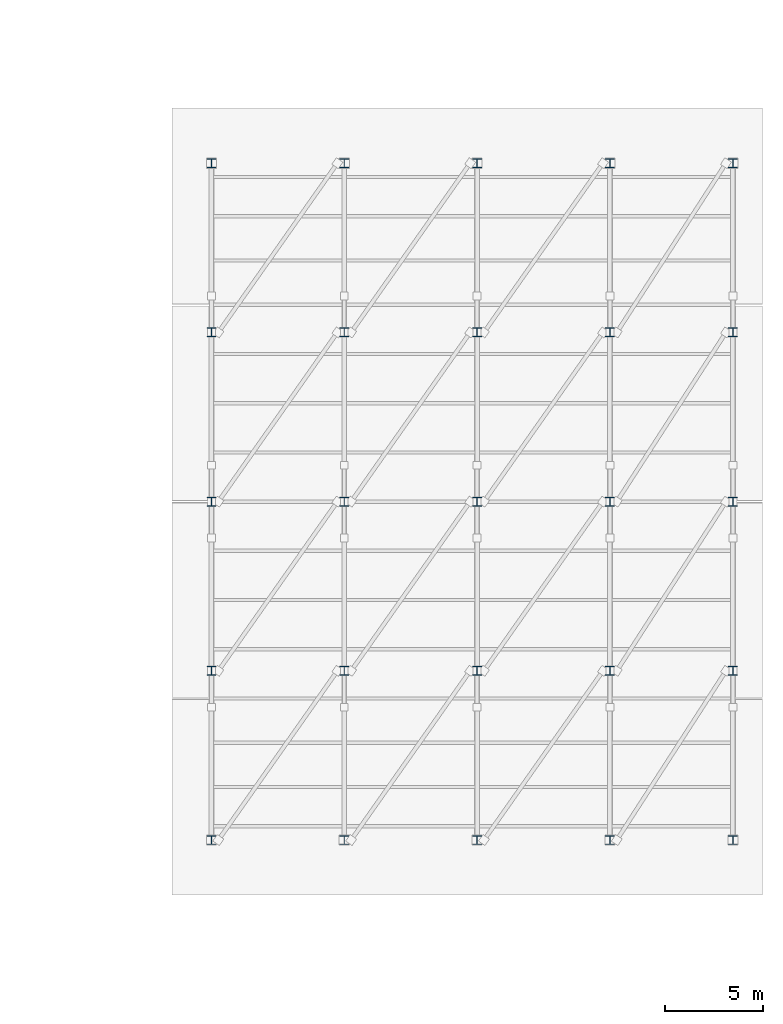
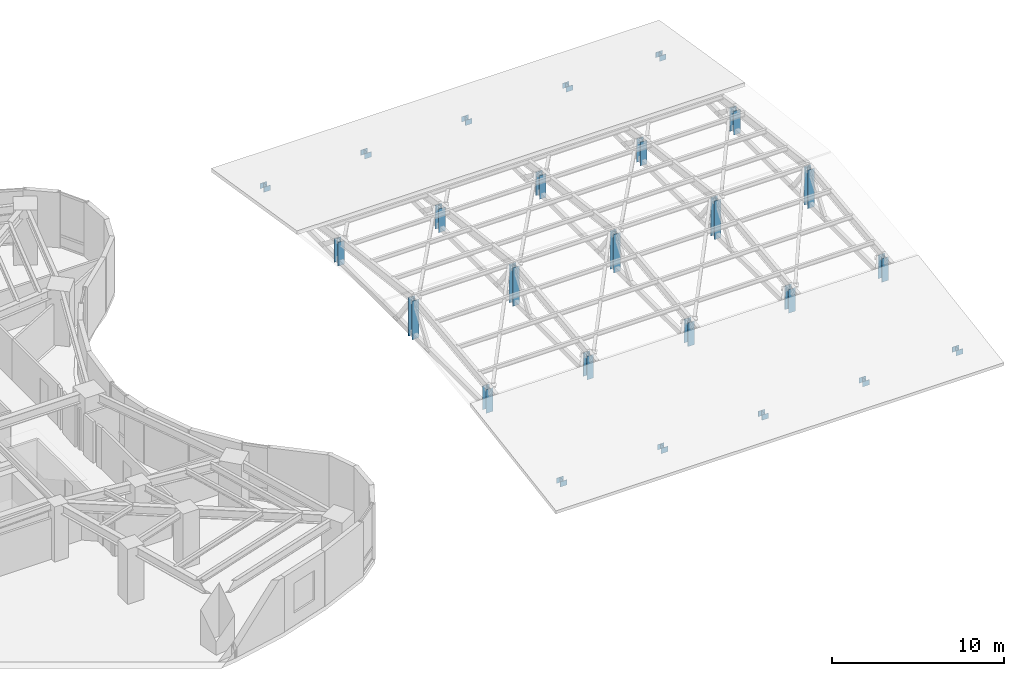
# One storey, part 2 of 17: 25 columns.
"""IFC4 building model written with IfcOpenShell, lengths in metres."""

from ifc_helpers import new_model, si_unit, direction, frame, origin, origin_2d, place, context, subcontext, project, spatial, i_section, extrude, material, material_profile, profile_set, type_object, element, save


model = new_model("IFC4")

# Units and contexts
model_context = context("Model", 3, precision=1e-05, world=origin(), true_north=direction((0.0, 1.0)))
body_context = subcontext(model_context, "Body", "Model", "MODEL_VIEW")
ifc_project = project(units=[si_unit("LENGTHUNIT", "METRE"), si_unit("AREAUNIT", "SQUARE_METRE"), si_unit("VOLUMEUNIT", "CUBIC_METRE"), si_unit("PLANEANGLEUNIT", "RADIAN"), si_unit("MASSUNIT", "GRAM", prefix="KILO")], contexts=[model_context])

# Site, building, storey
site_placement = place(None, origin())
site = spatial("IfcSite", under=ifc_project, at=site_placement, CompositionType="ELEMENT")
building_placement = place(site_placement, origin())
building = spatial("IfcBuilding", under=site, at=building_placement, Name="Korentha Bioscience Tower", CompositionType="ELEMENT")
storey_placement = place(building_placement, frame((0.0, 0.0, 25.800048828125)))
storey = spatial("IfcBuildingStorey", under=building, at=storey_placement, Name="L05", CompositionType="ELEMENT", Elevation=25.800048828125)

# Columns
ifc_material = material(Name="Steel S355", Category="steel")
ifc_material_profile = material_profile(ifc_material, i_section(OverallWidth=0.449951171875, OverallDepth=0.449951171875, WebThickness=0.02001953125, FlangeThickness=0.02490234375, at=origin_2d()), Name="Steel S355")
ifc_profile_set = profile_set([ifc_material_profile], Name="Steel S355 (CF-C1)")
column_type = type_object("IfcColumnType", Name="Crown Frame Post CS 450x226", PredefinedType="COLUMN", material=ifc_profile_set)
column_1_placement = place(storey_placement, frame((66.5, 9.800048828125, -0.00048828125), z_axis=(0.0, 0.0, 1.0), x_axis=(1.0, 0.0, 0.0)))
element("IfcColumn", 1, at=column_1_placement, inside=storey, type_object=column_type, Name="L05 Theatre Vault Support Post 01-1", PredefinedType="COLUMN", context=body_context, shape_type="SweptSolid", body=[
    extrude(i_section(OverallWidth=0.449951171875, OverallDepth=0.449951171875, WebThickness=0.02001953125, FlangeThickness=0.02490234375, at=origin_2d()), origin(), (0.0, 0.0, 1.0), 0.371826171875),
])
column_2_placement = place(storey_placement, frame((66.5, 18.39990234375, -0.00048828125), z_axis=(0.0, 0.0, 1.0), x_axis=(1.0, 0.0, 0.0)))
element("IfcColumn", 2, at=column_2_placement, inside=storey, type_object=column_type, Name="L05 Theatre Vault Support Post 01-2", PredefinedType="COLUMN", context=body_context, shape_type="SweptSolid", body=[
    extrude(i_section(OverallWidth=0.449951171875, OverallDepth=0.449951171875, WebThickness=0.02001953125, FlangeThickness=0.02490234375, at=origin_2d()), origin(), (0.0, 0.0, 1.0), 1.671875),
])
column_3_placement = place(storey_placement, frame((66.5, 27.0, -0.00048828125), z_axis=(0.0, 0.0, 1.0), x_axis=(1.0, 0.0, 0.0)))
element("IfcColumn", 3, at=column_3_placement, inside=storey, type_object=column_type, Name="L05 Theatre Vault Support Post 01-3", PredefinedType="COLUMN", context=body_context, shape_type="SweptSolid", body=[
    extrude(i_section(OverallWidth=0.449951171875, OverallDepth=0.449951171875, WebThickness=0.02001953125, FlangeThickness=0.02490234375, at=origin_2d()), origin(), (0.0, 0.0, 1.0), 2.721923828125),
])
column_4_placement = place(storey_placement, frame((66.5, 35.60009765625, -0.00048828125), z_axis=(0.0, 0.0, 1.0), x_axis=(1.0, 0.0, 0.0)))
element("IfcColumn", 4, at=column_4_placement, inside=storey, type_object=column_type, Name="L05 Theatre Vault Support Post 01-4", PredefinedType="COLUMN", context=body_context, shape_type="SweptSolid", body=[
    extrude(i_section(OverallWidth=0.449951171875, OverallDepth=0.449951171875, WebThickness=0.02001953125, FlangeThickness=0.02490234375, at=origin_2d()), origin(), (0.0, 0.0, 1.0), 1.671875),
])
for number, where, z_axis, x_axis, name in (
    (5, (66.5, 44.199951171875, -0.00048828125), (0.0, 0.0, 1.0), (1.0, 0.0, 0.0), "L05 Theatre Vault Support Post 01-5"),
    (6, (73.25, 9.800048828125, -0.00048828125), (0.0, 0.0, 1.0), (1.0, 0.0, 0.0), "L05 Theatre Vault Support Post 02-1"),
):
    element("IfcColumn", number, at=place(storey_placement, frame(where, z_axis=z_axis, x_axis=x_axis)), inside=storey, type_object=column_type, Name=name, PredefinedType="COLUMN", context=body_context, shape_type="SweptSolid", body=[
        extrude(i_section(OverallWidth=0.449951171875, OverallDepth=0.449951171875, WebThickness=0.02001953125, FlangeThickness=0.02490234375, at=origin_2d()), origin(), (0.0, 0.0, 1.0), 0.371826171875),
    ])
column_5_placement = place(storey_placement, frame((73.25, 18.39990234375, -0.00048828125), z_axis=(0.0, 0.0, 1.0), x_axis=(1.0, 0.0, 0.0)))
element("IfcColumn", 7, at=column_5_placement, inside=storey, type_object=column_type, Name="L05 Theatre Vault Support Post 02-2", PredefinedType="COLUMN", context=body_context, shape_type="SweptSolid", body=[
    extrude(i_section(OverallWidth=0.449951171875, OverallDepth=0.449951171875, WebThickness=0.02001953125, FlangeThickness=0.02490234375, at=origin_2d()), origin(), (0.0, 0.0, 1.0), 1.671875),
])
column_6_placement = place(storey_placement, frame((73.25, 27.0, -0.00048828125), z_axis=(0.0, 0.0, 1.0), x_axis=(1.0, 0.0, 0.0)))
element("IfcColumn", 8, at=column_6_placement, inside=storey, type_object=column_type, Name="L05 Theatre Vault Support Post 02-3", PredefinedType="COLUMN", context=body_context, shape_type="SweptSolid", body=[
    extrude(i_section(OverallWidth=0.449951171875, OverallDepth=0.449951171875, WebThickness=0.02001953125, FlangeThickness=0.02490234375, at=origin_2d()), origin(), (0.0, 0.0, 1.0), 2.721923828125),
])
column_7_placement = place(storey_placement, frame((73.25, 35.60009765625, -0.00048828125), z_axis=(0.0, 0.0, 1.0), x_axis=(1.0, 0.0, 0.0)))
element("IfcColumn", 9, at=column_7_placement, inside=storey, type_object=column_type, Name="L05 Theatre Vault Support Post 02-4", PredefinedType="COLUMN", context=body_context, shape_type="SweptSolid", body=[
    extrude(i_section(OverallWidth=0.449951171875, OverallDepth=0.449951171875, WebThickness=0.02001953125, FlangeThickness=0.02490234375, at=origin_2d()), origin(), (0.0, 0.0, 1.0), 1.671875),
])
for number, where, z_axis, x_axis, name in (
    (10, (73.25, 44.199951171875, -0.00048828125), (0.0, 0.0, 1.0), (1.0, 0.0, 0.0), "L05 Theatre Vault Support Post 02-5"),
    (11, (80.0, 9.800048828125, -0.00048828125), (0.0, 0.0, 1.0), (1.0, 0.0, 0.0), "L05 Theatre Vault Support Post 03-1"),
):
    element("IfcColumn", number, at=place(storey_placement, frame(where, z_axis=z_axis, x_axis=x_axis)), inside=storey, type_object=column_type, Name=name, PredefinedType="COLUMN", context=body_context, shape_type="SweptSolid", body=[
        extrude(i_section(OverallWidth=0.449951171875, OverallDepth=0.449951171875, WebThickness=0.02001953125, FlangeThickness=0.02490234375, at=origin_2d()), origin(), (0.0, 0.0, 1.0), 0.371826171875),
    ])
column_8_placement = place(storey_placement, frame((80.0, 18.39990234375, -0.00048828125), z_axis=(0.0, 0.0, 1.0), x_axis=(1.0, 0.0, 0.0)))
element("IfcColumn", 12, at=column_8_placement, inside=storey, type_object=column_type, Name="L05 Theatre Vault Support Post 03-2", PredefinedType="COLUMN", context=body_context, shape_type="SweptSolid", body=[
    extrude(i_section(OverallWidth=0.449951171875, OverallDepth=0.449951171875, WebThickness=0.02001953125, FlangeThickness=0.02490234375, at=origin_2d()), origin(), (0.0, 0.0, 1.0), 1.671875),
])
column_9_placement = place(storey_placement, frame((80.0, 27.0, -0.00048828125), z_axis=(0.0, 0.0, 1.0), x_axis=(1.0, 0.0, 0.0)))
element("IfcColumn", 13, at=column_9_placement, inside=storey, type_object=column_type, Name="L05 Theatre Vault Support Post 03-3", PredefinedType="COLUMN", context=body_context, shape_type="SweptSolid", body=[
    extrude(i_section(OverallWidth=0.449951171875, OverallDepth=0.449951171875, WebThickness=0.02001953125, FlangeThickness=0.02490234375, at=origin_2d()), origin(), (0.0, 0.0, 1.0), 2.721923828125),
])
column_10_placement = place(storey_placement, frame((80.0, 35.60009765625, -0.00048828125), z_axis=(0.0, 0.0, 1.0), x_axis=(1.0, 0.0, 0.0)))
element("IfcColumn", 14, at=column_10_placement, inside=storey, type_object=column_type, Name="L05 Theatre Vault Support Post 03-4", PredefinedType="COLUMN", context=body_context, shape_type="SweptSolid", body=[
    extrude(i_section(OverallWidth=0.449951171875, OverallDepth=0.449951171875, WebThickness=0.02001953125, FlangeThickness=0.02490234375, at=origin_2d()), origin(), (0.0, 0.0, 1.0), 1.671875),
])
for number, where, z_axis, x_axis, name in (
    (15, (80.0, 44.199951171875, -0.00048828125), (0.0, 0.0, 1.0), (1.0, 0.0, 0.0), "L05 Theatre Vault Support Post 03-5"),
    (16, (86.75, 9.800048828125, -0.00048828125), (0.0, 0.0, 1.0), (1.0, 0.0, 0.0), "L05 Theatre Vault Support Post 04-1"),
):
    element("IfcColumn", number, at=place(storey_placement, frame(where, z_axis=z_axis, x_axis=x_axis)), inside=storey, type_object=column_type, Name=name, PredefinedType="COLUMN", context=body_context, shape_type="SweptSolid", body=[
        extrude(i_section(OverallWidth=0.449951171875, OverallDepth=0.449951171875, WebThickness=0.02001953125, FlangeThickness=0.02490234375, at=origin_2d()), origin(), (0.0, 0.0, 1.0), 0.371826171875),
    ])
column_11_placement = place(storey_placement, frame((86.75, 18.39990234375, -0.00048828125), z_axis=(0.0, 0.0, 1.0), x_axis=(1.0, 0.0, 0.0)))
element("IfcColumn", 17, at=column_11_placement, inside=storey, type_object=column_type, Name="L05 Theatre Vault Support Post 04-2", PredefinedType="COLUMN", context=body_context, shape_type="SweptSolid", body=[
    extrude(i_section(OverallWidth=0.449951171875, OverallDepth=0.449951171875, WebThickness=0.02001953125, FlangeThickness=0.02490234375, at=origin_2d()), origin(), (0.0, 0.0, 1.0), 1.671875),
])
column_12_placement = place(storey_placement, frame((86.75, 27.0, -0.00048828125), z_axis=(0.0, 0.0, 1.0), x_axis=(1.0, 0.0, 0.0)))
element("IfcColumn", 18, at=column_12_placement, inside=storey, type_object=column_type, Name="L05 Theatre Vault Support Post 04-3", PredefinedType="COLUMN", context=body_context, shape_type="SweptSolid", body=[
    extrude(i_section(OverallWidth=0.449951171875, OverallDepth=0.449951171875, WebThickness=0.02001953125, FlangeThickness=0.02490234375, at=origin_2d()), origin(), (0.0, 0.0, 1.0), 2.721923828125),
])
column_13_placement = place(storey_placement, frame((86.75, 35.60009765625, -0.00048828125), z_axis=(0.0, 0.0, 1.0), x_axis=(1.0, 0.0, 0.0)))
element("IfcColumn", 19, at=column_13_placement, inside=storey, type_object=column_type, Name="L05 Theatre Vault Support Post 04-4", PredefinedType="COLUMN", context=body_context, shape_type="SweptSolid", body=[
    extrude(i_section(OverallWidth=0.449951171875, OverallDepth=0.449951171875, WebThickness=0.02001953125, FlangeThickness=0.02490234375, at=origin_2d()), origin(), (0.0, 0.0, 1.0), 1.671875),
])
for number, where, z_axis, x_axis, name in (
    (20, (86.75, 44.199951171875, -0.00048828125), (0.0, 0.0, 1.0), (1.0, 0.0, 0.0), "L05 Theatre Vault Support Post 04-5"),
    (21, (93.0, 9.800048828125, -0.00048828125), (0.0, 0.0, 1.0), (1.0, 0.0, 0.0), "L05 Theatre Vault Support Post 05-1"),
):
    element("IfcColumn", number, at=place(storey_placement, frame(where, z_axis=z_axis, x_axis=x_axis)), inside=storey, type_object=column_type, Name=name, PredefinedType="COLUMN", context=body_context, shape_type="SweptSolid", body=[
        extrude(i_section(OverallWidth=0.449951171875, OverallDepth=0.449951171875, WebThickness=0.02001953125, FlangeThickness=0.02490234375, at=origin_2d()), origin(), (0.0, 0.0, 1.0), 0.371826171875),
    ])
column_14_placement = place(storey_placement, frame((93.0, 18.39990234375, -0.00048828125), z_axis=(0.0, 0.0, 1.0), x_axis=(1.0, 0.0, 0.0)))
element("IfcColumn", 22, at=column_14_placement, inside=storey, type_object=column_type, Name="L05 Theatre Vault Support Post 05-2", PredefinedType="COLUMN", context=body_context, shape_type="SweptSolid", body=[
    extrude(i_section(OverallWidth=0.449951171875, OverallDepth=0.449951171875, WebThickness=0.02001953125, FlangeThickness=0.02490234375, at=origin_2d()), origin(), (0.0, 0.0, 1.0), 1.671875),
])
column_15_placement = place(storey_placement, frame((93.0, 27.0, -0.00048828125), z_axis=(0.0, 0.0, 1.0), x_axis=(1.0, 0.0, 0.0)))
element("IfcColumn", 23, at=column_15_placement, inside=storey, type_object=column_type, Name="L05 Theatre Vault Support Post 05-3", PredefinedType="COLUMN", context=body_context, shape_type="SweptSolid", body=[
    extrude(i_section(OverallWidth=0.449951171875, OverallDepth=0.449951171875, WebThickness=0.02001953125, FlangeThickness=0.02490234375, at=origin_2d()), origin(), (0.0, 0.0, 1.0), 2.721923828125),
])
column_16_placement = place(storey_placement, frame((93.0, 35.60009765625, -0.00048828125), z_axis=(0.0, 0.0, 1.0), x_axis=(1.0, 0.0, 0.0)))
element("IfcColumn", 24, at=column_16_placement, inside=storey, type_object=column_type, Name="L05 Theatre Vault Support Post 05-4", PredefinedType="COLUMN", context=body_context, shape_type="SweptSolid", body=[
    extrude(i_section(OverallWidth=0.449951171875, OverallDepth=0.449951171875, WebThickness=0.02001953125, FlangeThickness=0.02490234375, at=origin_2d()), origin(), (0.0, 0.0, 1.0), 1.671875),
])
column_17_placement = place(storey_placement, frame((93.0, 44.199951171875, -0.00048828125), z_axis=(0.0, 0.0, 1.0), x_axis=(1.0, 0.0, 0.0)))
element("IfcColumn", 25, at=column_17_placement, inside=storey, type_object=column_type, Name="L05 Theatre Vault Support Post 05-5", PredefinedType="COLUMN", context=body_context, shape_type="SweptSolid", body=[
    extrude(i_section(OverallWidth=0.449951171875, OverallDepth=0.449951171875, WebThickness=0.02001953125, FlangeThickness=0.02490234375, at=origin_2d()), origin(), (0.0, 0.0, 1.0), 0.371826171875),
])

save(model, "model.ifc")
